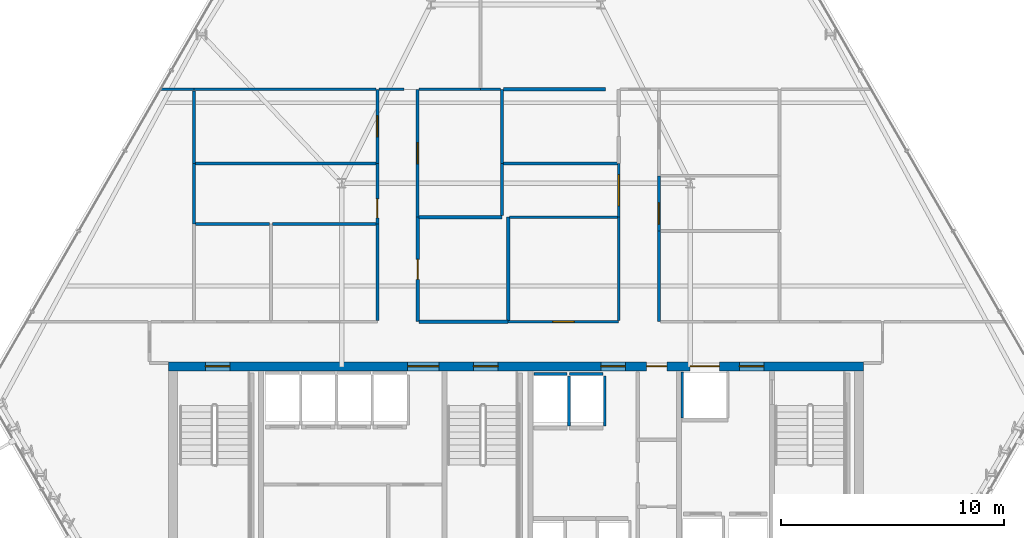
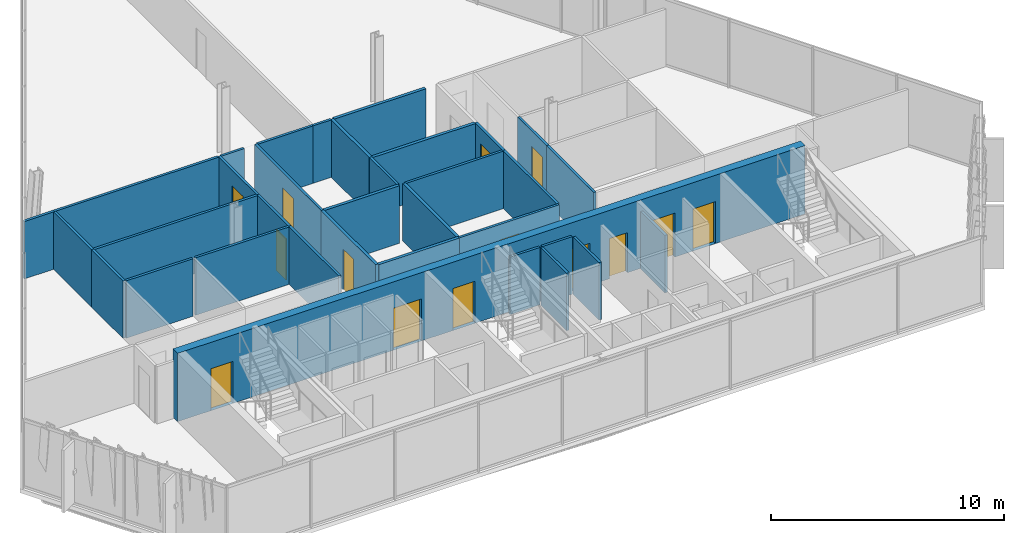
# One storey, part 29 of 35: 34 walls, 14 doors, 14 openings.
"""IFC4 building model written with IfcOpenShell, lengths in metres."""

from ifc_helpers import new_model, si_unit, direction, frame, frame_2d, origin, place, context, subcontext, project, spatial, rectangle, extrude, material, layer, layer_set, type_object, element, fill, save


model = new_model("IFC4")

# Units and contexts
model_context = context("Model", 3, precision=1e-05, world=origin(), true_north=direction((0.0, 1.0)))
body_context = subcontext(model_context, "Body", "Model", "MODEL_VIEW")
ifc_project = project(units=[si_unit("LENGTHUNIT", "METRE"), si_unit("AREAUNIT", "SQUARE_METRE"), si_unit("VOLUMEUNIT", "CUBIC_METRE"), si_unit("PLANEANGLEUNIT", "RADIAN"), si_unit("MASSUNIT", "GRAM", prefix="KILO")], contexts=[model_context])

# Site, building, storey
site_placement = place(None, origin())
site = spatial("IfcSite", under=ifc_project, at=site_placement, CompositionType="ELEMENT")
building_placement = place(site_placement, origin())
building = spatial("IfcBuilding", under=site, at=building_placement, Name="Ndaravel Arena Tower", CompositionType="ELEMENT")
storey_placement = place(building_placement, frame((0.0, 0.0, 180.199951171875)))
storey = spatial("IfcBuildingStorey", under=building, at=storey_placement, Name="L43", CompositionType="ELEMENT", Elevation=180.199951171875)

# Wall, openings, doors
ifc_material_1 = material(Name="Concrete C50/60", Category="concrete")
ifc_layer_1 = layer(ifc_material_1, 0.39990234375)
ifc_layer_set_1 = layer_set([ifc_layer_1], Name="Concrete C50/60")
wall_type_1 = type_object("IfcWallType", Name="WALL-CORE-400", PredefinedType="SOLIDWALL", material=ifc_layer_set_1)
wall_1_placement = place(storey_placement, frame((26.449951171875, 15.0, 0.0), z_axis=(0.0, 0.0, 1.0), x_axis=(1.0, 0.0, 0.0)))
wall_1 = element("IfcWall", 1, at=wall_1_placement, inside=storey, type_object=wall_type_1, Name="L43 Core North Shear Wall", PredefinedType="SOLIDWALL", context=body_context, shape_type="SweptSolid", body=[
    extrude(rectangle(XDim=31.10009765625, YDim=0.39990234375, at=frame_2d((15.550048828125, 0.0))), origin(), (0.0, 0.0, 1.0), 3.580078125),
])
opening_1_placement = place(wall_1_placement, frame((1.64990234375, 0.0, 0.0)))
opening_1 = element("IfcOpeningElement", 2, at=opening_1_placement, cuts=wall_1, Name="Opening FD-01", PredefinedType="OPENING", context=body_context, shape_type="SweptSolid", body=[
    extrude(rectangle(XDim=1.10009765625, YDim=2.199951171875, at=frame_2d((0.550048828125, 1.10009765625))), frame((0.0, 0.199951171875, 0.0), z_axis=(0.0, -1.0, 0.0), x_axis=(1.0, 0.0, 0.0)), (0.0, 0.0, 1.0), 0.39990234375),
])
opening_2_placement = place(wall_1_placement, frame((13.64990234375, 0.0, 0.0)))
opening_2 = element("IfcOpeningElement", 3, at=opening_2_placement, cuts=wall_1, Name="Opening FD-01", PredefinedType="OPENING", context=body_context, shape_type="SweptSolid", body=[
    extrude(rectangle(XDim=1.10009765625, YDim=2.199951171875, at=frame_2d((0.550048828125, 1.10009765625))), frame((0.0, 0.199951171875, 0.0), z_axis=(0.0, -1.0, 0.0), x_axis=(1.0, 0.0, 0.0)), (0.0, 0.0, 1.0), 0.39990234375),
])
opening_3_placement = place(wall_1_placement, frame((25.550048828125, 0.0, 0.0)))
opening_3 = element("IfcOpeningElement", 4, at=opening_3_placement, cuts=wall_1, Name="Opening FD-01", PredefinedType="OPENING", context=body_context, shape_type="SweptSolid", body=[
    extrude(rectangle(XDim=1.10009765625, YDim=2.199951171875, at=frame_2d((0.550048828125, 1.10009765625))), frame((0.0, 0.199951171875, 0.0), z_axis=(0.0, -1.0, 0.0), x_axis=(1.0, 0.0, 0.0)), (0.0, 0.0, 1.0), 0.39990234375),
])
opening_4_placement = place(wall_1_placement, frame((10.699951171875, 0.0, 0.0)))
opening_4 = element("IfcOpeningElement", 5, at=opening_4_placement, cuts=wall_1, Name="Opening ID-02", PredefinedType="OPENING", context=body_context, shape_type="SweptSolid", body=[
    extrude(rectangle(XDim=1.39990234375, YDim=2.199951171875, at=frame_2d((0.699951171875, 1.10009765625))), frame((0.0, 0.199951171875, 0.0), z_axis=(0.0, -1.0, 0.0), x_axis=(1.0, 0.0, 0.0)), (0.0, 0.0, 1.0), 0.39990234375),
])
opening_5_placement = place(wall_1_placement, frame((19.35009765625, 0.0, 0.0)))
opening_5 = element("IfcOpeningElement", 6, at=opening_5_placement, cuts=wall_1, Name="Opening FD-01", PredefinedType="OPENING", context=body_context, shape_type="SweptSolid", body=[
    extrude(rectangle(XDim=1.10009765625, YDim=2.199951171875, at=frame_2d((0.550048828125, 1.10009765625))), frame((0.0, 0.199951171875, 0.0), z_axis=(0.0, -1.0, 0.0), x_axis=(1.0, 0.0, 0.0)), (0.0, 0.0, 1.0), 0.39990234375),
])
opening_6_placement = place(wall_1_placement, frame((21.39990234375, 0.0, 0.0)))
opening_6 = element("IfcOpeningElement", 7, at=opening_6_placement, cuts=wall_1, Name="Opening RD-01", PredefinedType="OPENING", context=body_context, shape_type="SweptSolid", body=[
    extrude(rectangle(XDim=0.89990234375, YDim=2.10009765625, at=frame_2d((0.449951171875, 1.050048828125))), frame((0.0, 0.199951171875, 0.0), z_axis=(0.0, -1.0, 0.0), x_axis=(1.0, 0.0, 0.0)), (0.0, 0.0, 1.0), 0.39990234375),
])
opening_7_placement = place(wall_1_placement, frame((23.35009765625, 0.0, 0.0)))
opening_7 = element("IfcOpeningElement", 8, at=opening_7_placement, cuts=wall_1, Name="Opening LD-02", PredefinedType="OPENING", context=body_context, shape_type="SweptSolid", body=[
    extrude(rectangle(XDim=1.300048828125, YDim=2.300048828125, at=frame_2d((0.64990234375, 1.14990234375))), frame((0.0, 0.199951171875, 0.0), z_axis=(0.0, -1.0, 0.0), x_axis=(1.0, 0.0, 0.0)), (0.0, 0.0, 1.0), 0.39990234375),
])
ifc_material_2 = material(Name="Steel S355", Category="steel")
door_type_1 = type_object("IfcDoorType", Name="DT-01-STAIR-1100", OperationType="SINGLE_SWING_LEFT", PredefinedType="DOOR", material=ifc_material_2)
door_1_placement = place(opening_1_placement, origin())
door_1 = element("IfcDoor", 9, at=door_1_placement, inside=storey, type_object=door_type_1, Name="L43 Exit Stair ST-1 Door", OperationType="SINGLE_SWING_RIGHT", OverallHeight=2.199951171875, OverallWidth=1.10009765625, PredefinedType="DOOR", context=body_context, shape_type="SweptSolid", body=[
    extrude(rectangle(XDim=1.10009765625, YDim=2.199951171875, at=frame_2d((0.550048828125, 1.10009765625))), frame((0.0, 0.02490234375, 0.0), z_axis=(0.0, -1.0, 0.0), x_axis=(1.0, 0.0, 0.0)), (0.0, 0.0, 1.0), 0.050048828125),
])
fill(opening_1, door_1)
door_2_placement = place(opening_2_placement, origin())
door_2 = element("IfcDoor", 10, at=door_2_placement, inside=storey, type_object=door_type_1, Name="L43 Exit Stair ST-2 Door", OperationType="SINGLE_SWING_LEFT", OverallHeight=2.199951171875, OverallWidth=1.10009765625, PredefinedType="DOOR", context=body_context, shape_type="SweptSolid", body=[
    extrude(rectangle(XDim=1.10009765625, YDim=2.199951171875, at=frame_2d((0.550048828125, 1.10009765625))), frame((0.0, 0.02490234375, 0.0), z_axis=(0.0, -1.0, 0.0), x_axis=(1.0, 0.0, 0.0)), (0.0, 0.0, 1.0), 0.050048828125),
])
fill(opening_2, door_2)
door_3_placement = place(opening_3_placement, origin())
door_3 = element("IfcDoor", 11, at=door_3_placement, inside=storey, type_object=door_type_1, Name="L43 Firefighting Lift Lobby Door", OperationType="SINGLE_SWING_RIGHT", OverallHeight=2.199951171875, OverallWidth=1.10009765625, PredefinedType="DOOR", context=body_context, shape_type="SweptSolid", body=[
    extrude(rectangle(XDim=1.10009765625, YDim=2.199951171875, at=frame_2d((0.550048828125, 1.10009765625))), frame((0.0, 0.02490234375, 0.0), z_axis=(0.0, -1.0, 0.0), x_axis=(1.0, 0.0, 0.0)), (0.0, 0.0, 1.0), 0.050048828125),
])
fill(opening_3, door_3)
door_4_placement = place(opening_5_placement, origin())
door_4 = element("IfcDoor", 12, at=door_4_placement, inside=storey, type_object=door_type_1, Name="L43 Express Lift Lobby Entry Door", OperationType="SINGLE_SWING_LEFT", OverallHeight=2.199951171875, OverallWidth=1.10009765625, PredefinedType="DOOR", context=body_context, shape_type="SweptSolid", body=[
    extrude(rectangle(XDim=1.10009765625, YDim=2.199951171875, at=frame_2d((0.550048828125, 1.10009765625))), frame((0.0, 0.02490234375, 0.0), z_axis=(0.0, -1.0, 0.0), x_axis=(1.0, 0.0, 0.0)), (0.0, 0.0, 1.0), 0.050048828125),
])
fill(opening_5, door_4)
ifc_material_3 = material(Name="Timber", Category="wood")
door_type_2 = type_object("IfcDoorType", Name="DT-04-SUITE-1400", OperationType="DOUBLE_DOOR_SINGLE_SWING", PredefinedType="DOOR", material=ifc_material_3)
door_5_placement = place(opening_4_placement, origin())
door_5 = element("IfcDoor", 13, at=door_5_placement, inside=storey, type_object=door_type_2, Name="L43 West Lift Lobby Entry Door", OperationType="DOUBLE_DOOR_SINGLE_SWING", OverallHeight=2.199951171875, OverallWidth=1.39990234375, PredefinedType="DOOR", context=body_context, shape_type="SweptSolid", body=[
    extrude(rectangle(XDim=1.39990234375, YDim=2.199951171875, at=frame_2d((0.699951171875, 1.10009765625))), frame((0.0, 0.02490234375, 0.0), z_axis=(0.0, -1.0, 0.0), x_axis=(1.0, 0.0, 0.0)), (0.0, 0.0, 1.0), 0.050048828125),
])
fill(opening_4, door_5)
ifc_material_4 = material(Name="Steel S355", Category="steel")
door_type_3 = type_object("IfcDoorType", Name="DT-07-SVLIFT-1300", OperationType="DOUBLE_DOOR_SLIDING", PredefinedType="DOOR", material=ifc_material_4)
door_6_placement = place(opening_7_placement, origin())
door_6 = element("IfcDoor", 14, at=door_6_placement, inside=storey, type_object=door_type_3, Name="L43 Lift SVL-1 Sliding Landing Door", OperationType="DOUBLE_DOOR_SLIDING", OverallHeight=2.300048828125, OverallWidth=1.300048828125, PredefinedType="DOOR", context=body_context, shape_type="SweptSolid", body=[
    extrude(rectangle(XDim=1.300048828125, YDim=2.300048828125, at=frame_2d((0.64990234375, 1.14990234375))), frame((0.0, 0.02490234375, 0.0), z_axis=(0.0, -1.0, 0.0), x_axis=(1.0, 0.0, 0.0)), (0.0, 0.0, 1.0), 0.050048828125),
])
fill(opening_7, door_6)
ifc_material_5 = material(Name="Steel S355", Category="steel")
door_type_4 = type_object("IfcDoorType", Name="DT-08-RISER-900", OperationType="SINGLE_SWING_LEFT", PredefinedType="DOOR", material=ifc_material_5)
door_7_placement = place(opening_6_placement, origin())
door_7 = element("IfcDoor", 15, at=door_7_placement, inside=storey, type_object=door_type_4, Name="L43 Core Service Riser North Door", OperationType="SINGLE_SWING_LEFT", OverallHeight=2.10009765625, OverallWidth=0.89990234375, PredefinedType="DOOR", context=body_context, shape_type="SweptSolid", body=[
    extrude(rectangle(XDim=0.89990234375, YDim=2.10009765625, at=frame_2d((0.449951171875, 1.050048828125))), frame((0.0, 0.02490234375, 0.0), z_axis=(0.0, -1.0, 0.0), x_axis=(1.0, 0.0, 0.0)), (0.0, 0.0, 1.0), 0.050048828125),
])
fill(opening_6, door_7)

# Wall
ifc_material_6 = material(Name="Gypsum", Category="gypsum")
ifc_layer_2 = layer(ifc_material_6, 0.125)
ifc_layer_set_2 = layer_set([ifc_layer_2], Name="Gypsum")
wall_type_2 = type_object("IfcWallType", Name="WALL-PART-125", PredefinedType="PARTITIONING", material=ifc_layer_set_2)
wall_2_placement = place(storey_placement, frame((35.800048828125, 17.06494140625, 0.0), z_axis=(0.0, 0.0, 1.0), x_axis=(0.0, 1.0, 0.0)))
element("IfcWall", 16, at=wall_2_placement, inside=storey, type_object=wall_type_2, Name="L43 Interior Partition 008", PredefinedType="PARTITIONING", context=body_context, shape_type="SweptSolid", body=[
    extrude(rectangle(XDim=4.302978515625, YDim=0.125, at=frame_2d((2.1513671875, 0.0))), origin(), (0.0, 0.0, 1.0), 3.010498046875),
])

# Wall, opening, door
wall_3_placement = place(storey_placement, frame((35.800048828125, 24.08251953125, 0.0), z_axis=(0.0, 0.0, 1.0), x_axis=(0.0, 1.0, 0.0)))
wall_3 = element("IfcWall", 17, at=wall_3_placement, inside=storey, type_object=wall_type_2, Name="L43 Interior Partition 010", PredefinedType="PARTITIONING", context=body_context, shape_type="SweptSolid", body=[
    extrude(rectangle(XDim=3.3173828125, YDim=0.125, at=frame_2d((1.65869140625, 0.0))), origin(), (0.0, 0.0, 1.0), 3.010498046875),
])
opening_8_placement = place(wall_3_placement, frame((1.183837890625, 0.0, 0.0)))
opening_8 = element("IfcOpeningElement", 18, at=opening_8_placement, cuts=wall_3, Name="Opening ID-01", PredefinedType="OPENING", context=body_context, shape_type="SweptSolid", body=[
    extrude(rectangle(XDim=0.949951171875, YDim=2.199951171875, at=frame_2d((0.47509765625, 1.10009765625))), frame((0.0, 0.0625, 0.0), z_axis=(0.0, -1.0, 0.0), x_axis=(1.0, 0.0, 0.0)), (0.0, 0.0, 1.0), 0.125),
])
ifc_material_7 = material(Name="Timber", Category="wood")
door_type_5 = type_object("IfcDoorType", Name="DT-03-OFFICE-950", OperationType="SINGLE_SWING_LEFT", PredefinedType="DOOR", material=ifc_material_7)
door_8_placement = place(opening_8_placement, origin())
door_8 = element("IfcDoor", 19, at=door_8_placement, inside=storey, type_object=door_type_5, Name="L43 Refreshment Kiosk 6 Door", OperationType="SINGLE_SWING_RIGHT", OverallHeight=2.199951171875, OverallWidth=0.949951171875, PredefinedType="DOOR", context=body_context, shape_type="SweptSolid", body=[
    extrude(rectangle(XDim=0.949951171875, YDim=2.199951171875, at=frame_2d((0.47509765625, 1.10009765625))), frame((0.0, 0.02490234375, 0.0), z_axis=(0.0, -1.0, 0.0), x_axis=(1.0, 0.0, 0.0)), (0.0, 0.0, 1.0), 0.050048828125),
])
fill(opening_8, door_8)

# Wall
wall_4_placement = place(storey_placement, frame((35.864990234375, 27.39990234375, 0.0), z_axis=(0.0, 0.0, 1.0), x_axis=(1.0, 0.0, 0.0)))
element("IfcWall", 20, at=wall_4_placement, inside=storey, type_object=wall_type_2, Name="L43 Interior Partition 011", PredefinedType="PARTITIONING", context=body_context, shape_type="SweptSolid", body=[
    extrude(rectangle(XDim=1.135009765625, YDim=0.125, at=frame_2d((0.5673828125, 0.0))), origin(), (0.0, 0.0, 1.0), 3.010498046875),
])

# Wall, opening, door
wall_5_placement = place(storey_placement, frame((37.60009765625, 27.39990234375, 0.0), z_axis=(0.0, 0.0, 1.0), x_axis=(0.0, -1.0, 0.0)))
wall_5 = element("IfcWall", 21, at=wall_5_placement, inside=storey, type_object=wall_type_2, Name="L43 Interior Partition 012", PredefinedType="PARTITIONING", context=body_context, shape_type="SweptSolid", body=[
    extrude(rectangle(XDim=5.719970703125, YDim=0.125, at=frame_2d((2.85986328125, 0.0))), origin(), (0.0, 0.0, 1.0), 3.010498046875),
])
opening_9_placement = place(wall_5_placement, frame((2.385009765625, 0.0, 0.0)))
opening_9 = element("IfcOpeningElement", 22, at=opening_9_placement, cuts=wall_5, Name="Opening ID-01", PredefinedType="OPENING", context=body_context, shape_type="SweptSolid", body=[
    extrude(rectangle(XDim=0.949951171875, YDim=2.199951171875, at=frame_2d((0.47509765625, 1.10009765625))), frame((0.0, 0.0625, 0.0), z_axis=(0.0, -1.0, 0.0), x_axis=(1.0, 0.0, 0.0)), (0.0, 0.0, 1.0), 0.125),
])
door_9_placement = place(opening_9_placement, origin())
door_9 = element("IfcDoor", 23, at=door_9_placement, inside=storey, type_object=door_type_5, Name="L43 Design Bookshop Boutique 5 Door", OperationType="SINGLE_SWING_RIGHT", OverallHeight=2.199951171875, OverallWidth=0.949951171875, PredefinedType="DOOR", context=body_context, shape_type="SweptSolid", body=[
    extrude(rectangle(XDim=0.949951171875, YDim=2.199951171875, at=frame_2d((0.47509765625, 1.10009765625))), frame((0.0, 0.02490234375, 0.0), z_axis=(0.0, -1.0, 0.0), x_axis=(1.0, 0.0, 0.0)), (0.0, 0.0, 1.0), 0.050048828125),
])
fill(opening_9, door_9)

wall_6_placement = place(storey_placement, frame((41.64990234375, 17.0, 0.0), z_axis=(0.0, 0.0, 1.0), x_axis=(1.0, 0.0, 0.0)))
wall_6 = element("IfcWall", 24, at=wall_6_placement, inside=storey, type_object=wall_type_2, Name="L43 Interior Partition 015", PredefinedType="PARTITIONING", context=body_context, shape_type="SweptSolid", body=[
    extrude(rectangle(XDim=4.9501953125, YDim=0.125, at=frame_2d((2.47509765625, 0.0))), origin(), (0.0, 0.0, 1.0), 3.010498046875),
])
opening_10_placement = place(wall_6_placement, frame((2.0, 0.0, 0.0)))
opening_10 = element("IfcOpeningElement", 25, at=opening_10_placement, cuts=wall_6, Name="Opening ID-01", PredefinedType="OPENING", context=body_context, shape_type="SweptSolid", body=[
    extrude(rectangle(XDim=0.949951171875, YDim=2.199951171875, at=frame_2d((0.47509765625, 1.10009765625))), frame((0.0, 0.0625, 0.0), z_axis=(0.0, -1.0, 0.0), x_axis=(1.0, 0.0, 0.0)), (0.0, 0.0, 1.0), 0.125),
])
door_10_placement = place(opening_10_placement, origin())
door_10 = element("IfcDoor", 26, at=door_10_placement, inside=storey, type_object=door_type_5, Name="L43 Project Seminar Room 3 Door", OperationType="SINGLE_SWING_RIGHT", OverallHeight=2.199951171875, OverallWidth=0.949951171875, PredefinedType="DOOR", context=body_context, shape_type="SweptSolid", body=[
    extrude(rectangle(XDim=0.949951171875, YDim=2.199951171875, at=frame_2d((0.47509765625, 1.10009765625))), frame((0.0, 0.02490234375, 0.0), z_axis=(0.0, -1.0, 0.0), x_axis=(1.0, 0.0, 0.0)), (0.0, 0.0, 1.0), 0.050048828125),
])
fill(opening_10, door_10)

# Wall
wall_7_placement = place(storey_placement, frame((46.60009765625, 17.06494140625, 0.0), z_axis=(0.0, 0.0, 1.0), x_axis=(0.0, 1.0, 0.0)))
element("IfcWall", 27, at=wall_7_placement, inside=storey, type_object=wall_type_2, Name="L43 Interior Partition 016", PredefinedType="PARTITIONING", context=body_context, shape_type="SweptSolid", body=[
    extrude(rectangle(XDim=4.614990234375, YDim=0.125, at=frame_2d((2.3076171875, 0.0))), origin(), (0.0, 0.0, 1.0), 3.010498046875),
])

# Wall, opening, door
wall_8_placement = place(storey_placement, frame((46.60009765625, 21.679931640625, 0.0), z_axis=(0.0, 0.0, 1.0), x_axis=(0.0, 1.0, 0.0)))
wall_8 = element("IfcWall", 28, at=wall_8_placement, inside=storey, type_object=wall_type_2, Name="L43 Interior Partition 017", PredefinedType="PARTITIONING", context=body_context, shape_type="SweptSolid", body=[
    extrude(rectangle(XDim=2.402587890625, YDim=0.125, at=frame_2d((1.201171875, 0.0))), origin(), (0.0, 0.0, 1.0), 3.010498046875),
])
opening_11_placement = place(wall_8_placement, frame((0.501220703125, 0.0, 0.0)))
opening_11 = element("IfcOpeningElement", 29, at=opening_11_placement, cuts=wall_8, Name="Opening ID-02", PredefinedType="OPENING", context=body_context, shape_type="SweptSolid", body=[
    extrude(rectangle(XDim=1.39990234375, YDim=2.199951171875, at=frame_2d((0.699951171875, 1.10009765625))), frame((0.0, 0.0625, 0.0), z_axis=(0.0, -1.0, 0.0), x_axis=(1.0, 0.0, 0.0)), (0.0, 0.0, 1.0), 0.125),
])
door_11_placement = place(opening_11_placement, origin())
door_11 = element("IfcDoor", 30, at=door_11_placement, inside=storey, type_object=door_type_2, Name="L43 Executive Boardroom 5 Door", OperationType="SINGLE_SWING_LEFT", OverallHeight=2.199951171875, OverallWidth=1.39990234375, PredefinedType="DOOR", context=body_context, shape_type="SweptSolid", body=[
    extrude(rectangle(XDim=1.39990234375, YDim=2.199951171875, at=frame_2d((0.699951171875, 1.10009765625))), frame((0.0, 0.02490234375, 0.0), z_axis=(0.0, -1.0, 0.0), x_axis=(1.0, 0.0, 0.0)), (0.0, 0.0, 1.0), 0.050048828125),
])
fill(opening_11, door_11)

wall_9_placement = place(storey_placement, frame((48.39990234375, 23.5302734375, 0.0), z_axis=(0.0, 0.0, 1.0), x_axis=(0.0, -1.0, 0.0)))
wall_9 = element("IfcWall", 31, at=wall_9_placement, inside=storey, type_object=wall_type_2, Name="L43 Interior Partition 021", PredefinedType="PARTITIONING", context=body_context, shape_type="SweptSolid", body=[
    extrude(rectangle(XDim=2.474365234375, YDim=0.125, at=frame_2d((1.2373046875, 0.0))), origin(), (0.0, 0.0, 1.0), 3.010498046875),
])
opening_12_placement = place(wall_9_placement, frame((1.212158203125, 0.0, 0.0)))
opening_12 = element("IfcOpeningElement", 32, at=opening_12_placement, cuts=wall_9, Name="Opening ID-01", PredefinedType="OPENING", context=body_context, shape_type="SweptSolid", body=[
    extrude(rectangle(XDim=0.949951171875, YDim=2.199951171875, at=frame_2d((0.47509765625, 1.10009765625))), frame((0.0, 0.0625, 0.0), z_axis=(0.0, -1.0, 0.0), x_axis=(1.0, 0.0, 0.0)), (0.0, 0.0, 1.0), 0.125),
])
door_12_placement = place(opening_12_placement, origin())
door_12 = element("IfcDoor", 33, at=door_12_placement, inside=storey, type_object=door_type_5, Name="L43 Training Classroom 4 Door", OperationType="SINGLE_SWING_LEFT", OverallHeight=2.199951171875, OverallWidth=0.949951171875, PredefinedType="DOOR", context=body_context, shape_type="SweptSolid", body=[
    extrude(rectangle(XDim=0.949951171875, YDim=2.199951171875, at=frame_2d((0.47509765625, 1.10009765625))), frame((0.0, 0.02490234375, 0.0), z_axis=(0.0, -1.0, 0.0), x_axis=(1.0, 0.0, 0.0)), (0.0, 0.0, 1.0), 0.050048828125),
])
fill(opening_12, door_12)

# Walls
wall_10_placement = place(storey_placement, frame((48.39990234375, 21.055908203125, 0.0), z_axis=(0.0, 0.0, 1.0), x_axis=(0.0, -1.0, 0.0)))
element("IfcWall", 34, at=wall_10_placement, inside=storey, type_object=wall_type_2, Name="L43 Interior Partition 022", PredefinedType="PARTITIONING", context=body_context, shape_type="SweptSolid", body=[
    extrude(rectangle(XDim=4.055908203125, YDim=0.125, at=frame_2d((2.02783203125, 0.0))), origin(), (0.0, 0.0, 1.0), 3.010498046875),
])
wall_11_placement = place(storey_placement, frame((27.6650390625, 21.367919921875, 0.0), z_axis=(0.0, 0.0, 1.0), x_axis=(1.0, 0.0, 0.0)))
element("IfcWall", 35, at=wall_11_placement, inside=storey, type_object=wall_type_2, Name="L43 Interior Partition 032", PredefinedType="PARTITIONING", context=body_context, shape_type="SweptSolid", body=[
    extrude(rectangle(XDim=3.31396484375, YDim=0.125, at=frame_2d((1.656982421875, 0.0))), origin(), (0.0, 0.0, 1.0), 3.010498046875),
])
wall_12_placement = place(storey_placement, frame((31.10888671875, 21.367919921875, 0.0), z_axis=(0.0, 0.0, 1.0), x_axis=(1.0, 0.0, 0.0)))
element("IfcWall", 36, at=wall_12_placement, inside=storey, type_object=wall_type_2, Name="L43 Interior Partition 033", PredefinedType="PARTITIONING", context=body_context, shape_type="SweptSolid", body=[
    extrude(rectangle(XDim=4.626220703125, YDim=0.125, at=frame_2d((2.31298828125, 0.0))), origin(), (0.0, 0.0, 1.0), 3.010498046875),
])
wall_13_placement = place(storey_placement, frame((41.715087890625, 21.679931640625, 0.0), z_axis=(0.0, 0.0, 1.0), x_axis=(1.0, 0.0, 0.0)))
element("IfcWall", 37, at=wall_13_placement, inside=storey, type_object=wall_type_2, Name="L43 Interior Partition 036", PredefinedType="PARTITIONING", context=body_context, shape_type="SweptSolid", body=[
    extrude(rectangle(XDim=4.81982421875, YDim=0.125, at=frame_2d((2.409912109375, 0.0))), origin(), (0.0, 0.0, 1.0), 3.010498046875),
])
wall_14_placement = place(storey_placement, frame((26.09912109375, 27.39990234375, 0.0), z_axis=(0.0, 0.0, 1.0), x_axis=(1.0, 0.0, 0.0)))
element("IfcWall", 38, at=wall_14_placement, inside=storey, type_object=wall_type_2, Name="L43 Interior Partition 037", PredefinedType="PARTITIONING", context=body_context, shape_type="SweptSolid", body=[
    extrude(rectangle(XDim=1.5009765625, YDim=0.125, at=frame_2d((0.75048828125, 0.0))), origin(), (0.0, 0.0, 1.0), 3.010498046875),
])
wall_15_placement = place(storey_placement, frame((27.60009765625, 27.3349609375, 0.0), z_axis=(0.0, 0.0, 1.0), x_axis=(0.0, -1.0, 0.0)))
element("IfcWall", 39, at=wall_15_placement, inside=storey, type_object=wall_type_2, Name="L43 Interior Partition 038", PredefinedType="PARTITIONING", context=body_context, shape_type="SweptSolid", body=[
    extrude(rectangle(XDim=3.25244140625, YDim=0.125, at=frame_2d((1.626220703125, 0.0))), origin(), (0.0, 0.0, 1.0), 3.010498046875),
])
wall_16_placement = place(storey_placement, frame((27.60009765625, 24.08251953125, 0.0), z_axis=(0.0, 0.0, 1.0), x_axis=(0.0, -1.0, 0.0)))
element("IfcWall", 40, at=wall_16_placement, inside=storey, type_object=wall_type_2, Name="L43 Interior Partition 039", PredefinedType="PARTITIONING", context=body_context, shape_type="SweptSolid", body=[
    extrude(rectangle(XDim=2.714599609375, YDim=0.125, at=frame_2d((1.357421875, 0.0))), origin(), (0.0, 0.0, 1.0), 3.010498046875),
])
wall_17_placement = place(storey_placement, frame((27.6650390625, 24.08251953125, 0.0), z_axis=(0.0, 0.0, 1.0), x_axis=(1.0, 0.0, 0.0)))
element("IfcWall", 41, at=wall_17_placement, inside=storey, type_object=wall_type_2, Name="L43 Interior Partition 044", PredefinedType="PARTITIONING", context=body_context, shape_type="SweptSolid", body=[
    extrude(rectangle(XDim=8.070068359375, YDim=0.125, at=frame_2d((4.03515625, 0.0))), origin(), (0.0, 0.0, 1.0), 3.010498046875),
])
wall_18_placement = place(storey_placement, frame((41.3798828125, 21.7451171875, 0.0), z_axis=(0.0, 0.0, 1.0), x_axis=(0.0, 1.0, 0.0)))
element("IfcWall", 42, at=wall_18_placement, inside=storey, type_object=wall_type_2, Name="L43 Interior Partition 045", PredefinedType="PARTITIONING", context=body_context, shape_type="SweptSolid", body=[
    extrude(rectangle(XDim=2.33740234375, YDim=0.125, at=frame_2d((1.168701171875, 0.0))), origin(), (0.0, 0.0, 1.0), 3.010498046875),
])
wall_19_placement = place(storey_placement, frame((37.6650390625, 27.39990234375, 0.0), z_axis=(0.0, 0.0, 1.0), x_axis=(1.0, 0.0, 0.0)))
element("IfcWall", 43, at=wall_19_placement, inside=storey, type_object=wall_type_2, Name="L43 Interior Partition 048", PredefinedType="PARTITIONING", context=body_context, shape_type="SweptSolid", body=[
    extrude(rectangle(XDim=2.744873046875, YDim=0.125, at=frame_2d((1.37255859375, 0.0))), origin(), (0.0, 0.0, 1.0), 3.010498046875),
])
wall_20_placement = place(storey_placement, frame((40.409912109375, 27.39990234375, 0.0), z_axis=(0.0, 0.0, 1.0), x_axis=(1.0, 0.0, 0.0)))
element("IfcWall", 44, at=wall_20_placement, inside=storey, type_object=wall_type_2, Name="L43 Interior Partition 049", PredefinedType="PARTITIONING", context=body_context, shape_type="SweptSolid", body=[
    extrude(rectangle(XDim=0.905029296875, YDim=0.125, at=frame_2d((0.45263671875, 0.0))), origin(), (0.0, 0.0, 1.0), 3.010498046875),
])
wall_21_placement = place(storey_placement, frame((27.60009765625, 27.39990234375, 0.0), z_axis=(0.0, 0.0, 1.0), x_axis=(1.0, 0.0, 0.0)))
element("IfcWall", 45, at=wall_21_placement, inside=storey, type_object=wall_type_2, Name="L43 Interior Partition 051", PredefinedType="PARTITIONING", context=body_context, shape_type="SweptSolid", body=[
    extrude(rectangle(XDim=8.135009765625, YDim=0.125, at=frame_2d((4.0673828125, 0.0))), origin(), (0.0, 0.0, 1.0), 3.010498046875),
])
ifc_material_8 = material(Name="Concrete C40/50", Category="concrete")
ifc_layer_3 = layer(ifc_material_8, 0.1201171875)
ifc_layer_set_3 = layer_set([ifc_layer_3], Name="Concrete C40/50")
wall_type_3 = type_object("IfcWallType", Name="WALL-SHAFT-120", PredefinedType="SOLIDWALL", material=ifc_layer_set_3)
wall_22_placement = place(storey_placement, frame((42.804931640625, 14.659912109375, 0.0), z_axis=(0.0, 0.0, 1.0), x_axis=(1.0, 0.0, 0.0)))
element("IfcWall", 46, at=wall_22_placement, inside=storey, type_object=wall_type_3, Name="L43 PL-OBS1 Shaft Rear Wall", PredefinedType="SOLIDWALL", context=body_context, shape_type="SweptSolid", body=[
    extrude(rectangle(XDim=1.489990234375, YDim=0.1201171875, at=frame_2d((0.7451171875, 0.0))), origin(), (0.0, 0.0, 1.0), 3.010498046875),
])
wall_23_placement = place(storey_placement, frame((44.375, 12.340087890625, 0.0), z_axis=(0.0, 0.0, 1.0), x_axis=(0.0, 1.0, 0.0)))
element("IfcWall", 47, at=wall_23_placement, inside=storey, type_object=wall_type_3, Name="L43 PL-OBS1 Shaft Side R Wall", PredefinedType="SOLIDWALL", context=body_context, shape_type="SweptSolid", body=[
    extrude(rectangle(XDim=2.22998046875, YDim=0.1201171875, at=frame_2d((1.114990234375, 0.0))), origin(), (0.0, 0.0, 1.0), 3.010498046875),
])
wall_24_placement = place(storey_placement, frame((44.405029296875, 14.659912109375, 0.0), z_axis=(0.0, 0.0, 1.0), x_axis=(1.0, 0.0, 0.0)))
element("IfcWall", 48, at=wall_24_placement, inside=storey, type_object=wall_type_3, Name="L43 PL-OBS2 Shaft Rear Wall", PredefinedType="SOLIDWALL", context=body_context, shape_type="SweptSolid", body=[
    extrude(rectangle(XDim=1.489990234375, YDim=0.1201171875, at=frame_2d((0.7451171875, 0.0))), origin(), (0.0, 0.0, 1.0), 3.010498046875),
])
wall_25_placement = place(storey_placement, frame((45.97509765625, 12.340087890625, 0.0), z_axis=(0.0, 0.0, 1.0), x_axis=(0.0, 1.0, 0.0)))
element("IfcWall", 49, at=wall_25_placement, inside=storey, type_object=wall_type_3, Name="L43 PL-OBS2 Shaft Side R Wall", PredefinedType="SOLIDWALL", context=body_context, shape_type="SweptSolid", body=[
    extrude(rectangle(XDim=2.22998046875, YDim=0.1201171875, at=frame_2d((1.114990234375, 0.0))), origin(), (0.0, 0.0, 1.0), 3.010498046875),
])
wall_26_placement = place(storey_placement, frame((49.43994140625, 12.68994140625, 0.0), z_axis=(0.0, 0.0, 1.0), x_axis=(0.0, 1.0, 0.0)))
element("IfcWall", 50, at=wall_26_placement, inside=storey, type_object=wall_type_3, Name="L43 SVL-1 Shaft W Wall", PredefinedType="SOLIDWALL", context=body_context, shape_type="SweptSolid", body=[
    extrude(rectangle(XDim=2.070068359375, YDim=0.1201171875, at=frame_2d((1.03515625, 0.0))), origin(), (0.0, 0.0, 1.0), 3.010498046875),
])

# Wall, opening, door
ifc_material_9 = material(Name="Masonry", Category="masonry")
ifc_layer_4 = layer(ifc_material_9, 0.14990234375)
ifc_layer_set_4 = layer_set([ifc_layer_4], Name="Masonry")
wall_type_4 = type_object("IfcWallType", Name="WALL-WET-150", PredefinedType="PARTITIONING", material=ifc_layer_set_4)
wall_27_placement = place(storey_placement, frame((35.800048828125, 21.367919921875, 0.0), z_axis=(0.0, 0.0, 1.0), x_axis=(0.0, 1.0, 0.0)))
wall_27 = element("IfcWall", 51, at=wall_27_placement, inside=storey, type_object=wall_type_4, Name="L43 Interior Partition 009", PredefinedType="PARTITIONING", context=body_context, shape_type="SweptSolid", body=[
    extrude(rectangle(XDim=2.714599609375, YDim=0.125, at=frame_2d((1.357421875, 0.0))), origin(), (0.0, 0.0, 1.0), 3.010498046875),
])
opening_13_placement = place(wall_27_placement, frame((0.2822265625, 0.0, 0.0)))
opening_13 = element("IfcOpeningElement", 52, at=opening_13_placement, cuts=wall_27, Name="Opening ID-03", PredefinedType="OPENING", context=body_context, shape_type="SweptSolid", body=[
    extrude(rectangle(XDim=0.85009765625, YDim=2.14990234375, at=frame_2d((0.425048828125, 1.074951171875))), frame((0.0, 0.0625, 0.0), z_axis=(0.0, -1.0, 0.0), x_axis=(1.0, 0.0, 0.0)), (0.0, 0.0, 1.0), 0.125),
])
ifc_material_10 = material(Name="Timber", Category="wood")
door_type_6 = type_object("IfcDoorType", Name="DT-12-SUB-850", OperationType="SINGLE_SWING_LEFT", PredefinedType="DOOR", material=ifc_material_10)
door_13_placement = place(opening_13_placement, origin())
door_13 = element("IfcDoor", 53, at=door_13_placement, inside=storey, type_object=door_type_6, Name="L43 Publication Shop 4 Door", OperationType="SINGLE_SWING_LEFT", OverallHeight=2.14990234375, OverallWidth=0.85009765625, PredefinedType="DOOR", context=body_context, shape_type="SweptSolid", body=[
    extrude(rectangle(XDim=0.85009765625, YDim=2.14990234375, at=frame_2d((0.425048828125, 1.074951171875))), frame((0.0, 0.02490234375, 0.0), z_axis=(0.0, -1.0, 0.0), x_axis=(1.0, 0.0, 0.0)), (0.0, 0.0, 1.0), 0.050048828125),
])
fill(opening_13, door_13)

wall_28_placement = place(storey_placement, frame((37.60009765625, 21.679931640625, 0.0), z_axis=(0.0, 0.0, 1.0), x_axis=(0.0, -1.0, 0.0)))
wall_28 = element("IfcWall", 54, at=wall_28_placement, inside=storey, type_object=wall_type_4, Name="L43 Interior Partition 013", PredefinedType="PARTITIONING", context=body_context, shape_type="SweptSolid", body=[
    extrude(rectangle(XDim=4.679931640625, YDim=0.14990234375, at=frame_2d((2.33984375, 0.0))), origin(), (0.0, 0.0, 1.0), 3.010498046875),
])
opening_14_placement = place(wall_28_placement, frame((1.889892578125, 0.0, 0.0)))
opening_14 = element("IfcOpeningElement", 55, at=opening_14_placement, cuts=wall_28, Name="Opening WD-01", PredefinedType="OPENING", context=body_context, shape_type="SweptSolid", body=[
    extrude(rectangle(XDim=0.89990234375, YDim=2.14990234375, at=frame_2d((0.449951171875, 1.074951171875))), frame((0.0, 0.074951171875, 0.0), z_axis=(0.0, -1.0, 0.0), x_axis=(1.0, 0.0, 0.0)), (0.0, 0.0, 1.0), 0.14990234375),
])
ifc_material_11 = material(Name="Timber", Category="wood")
door_type_7 = type_object("IfcDoorType", Name="DT-05-WC-900", OperationType="SINGLE_SWING_LEFT", PredefinedType="DOOR", material=ifc_material_11)
door_14_placement = place(opening_14_placement, origin())
door_14 = element("IfcDoor", 56, at=door_14_placement, inside=storey, type_object=door_type_7, Name="L43 Male Staff & Visitor Restroom Door", OperationType="SINGLE_SWING_LEFT", OverallHeight=2.14990234375, OverallWidth=0.89990234375, PredefinedType="DOOR", context=body_context, shape_type="SweptSolid", body=[
    extrude(rectangle(XDim=0.89990234375, YDim=2.14990234375, at=frame_2d((0.449951171875, 1.074951171875))), frame((0.0, 0.02490234375, 0.0), z_axis=(0.0, -1.0, 0.0), x_axis=(1.0, 0.0, 0.0)), (0.0, 0.0, 1.0), 0.050048828125),
])
fill(opening_14, door_14)

# Walls
wall_29_placement = place(storey_placement, frame((37.6650390625, 17.0, 0.0), z_axis=(0.0, 0.0, 1.0), x_axis=(1.0, 0.0, 0.0)))
element("IfcWall", 57, at=wall_29_placement, inside=storey, type_object=wall_type_4, Name="L43 Interior Partition 014", PredefinedType="PARTITIONING", context=body_context, shape_type="SweptSolid", body=[
    extrude(rectangle(XDim=3.98486328125, YDim=0.14990234375, at=frame_2d((1.992431640625, 0.0))), origin(), (0.0, 0.0, 1.0), 3.010498046875),
])
wall_30_placement = place(storey_placement, frame((41.64990234375, 21.679931640625, 0.0), z_axis=(0.0, 0.0, 1.0), x_axis=(0.0, -1.0, 0.0)))
element("IfcWall", 58, at=wall_30_placement, inside=storey, type_object=wall_type_4, Name="L43 Interior Partition 034", PredefinedType="PARTITIONING", context=body_context, shape_type="SweptSolid", body=[
    extrude(rectangle(XDim=4.614990234375, YDim=0.14990234375, at=frame_2d((2.3076171875, 0.0))), origin(), (0.0, 0.0, 1.0), 3.010498046875),
])
wall_31_placement = place(storey_placement, frame((37.6650390625, 21.679931640625, 0.0), z_axis=(0.0, 0.0, 1.0), x_axis=(1.0, 0.0, 0.0)))
element("IfcWall", 59, at=wall_31_placement, inside=storey, type_object=wall_type_4, Name="L43 Interior Partition 035", PredefinedType="PARTITIONING", context=body_context, shape_type="SweptSolid", body=[
    extrude(rectangle(XDim=3.71484375, YDim=0.14990234375, at=frame_2d((1.857421875, 0.0))), origin(), (0.0, 0.0, 1.0), 3.010498046875),
])
wall_32_placement = place(storey_placement, frame((41.445068359375, 24.08251953125, 0.0), z_axis=(0.0, 0.0, 1.0), x_axis=(1.0, 0.0, 0.0)))
element("IfcWall", 60, at=wall_32_placement, inside=storey, type_object=wall_type_4, Name="L43 Interior Partition 046", PredefinedType="PARTITIONING", context=body_context, shape_type="SweptSolid", body=[
    extrude(rectangle(XDim=5.08984375, YDim=0.14990234375, at=frame_2d((2.544921875, 0.0))), origin(), (0.0, 0.0, 1.0), 3.010498046875),
])
wall_33_placement = place(storey_placement, frame((41.3798828125, 27.39990234375, 0.0), z_axis=(0.0, 0.0, 1.0), x_axis=(0.0, -1.0, 0.0)))
element("IfcWall", 61, at=wall_33_placement, inside=storey, type_object=wall_type_4, Name="L43 Interior Partition 047", PredefinedType="PARTITIONING", context=body_context, shape_type="SweptSolid", body=[
    extrude(rectangle(XDim=3.3173828125, YDim=0.14990234375, at=frame_2d((1.65869140625, 0.0))), origin(), (0.0, 0.0, 1.0), 3.010498046875),
])
wall_34_placement = place(storey_placement, frame((41.445068359375, 27.39990234375, 0.0), z_axis=(0.0, 0.0, 1.0), x_axis=(1.0, 0.0, 0.0)))
element("IfcWall", 62, at=wall_34_placement, inside=storey, type_object=wall_type_4, Name="L43 Interior Partition 052", PredefinedType="PARTITIONING", context=body_context, shape_type="SweptSolid", body=[
    extrude(rectangle(XDim=4.554931640625, YDim=0.14990234375, at=frame_2d((2.27734375, 0.0))), origin(), (0.0, 0.0, 1.0), 3.010498046875),
])

save(model, "model.ifc")
